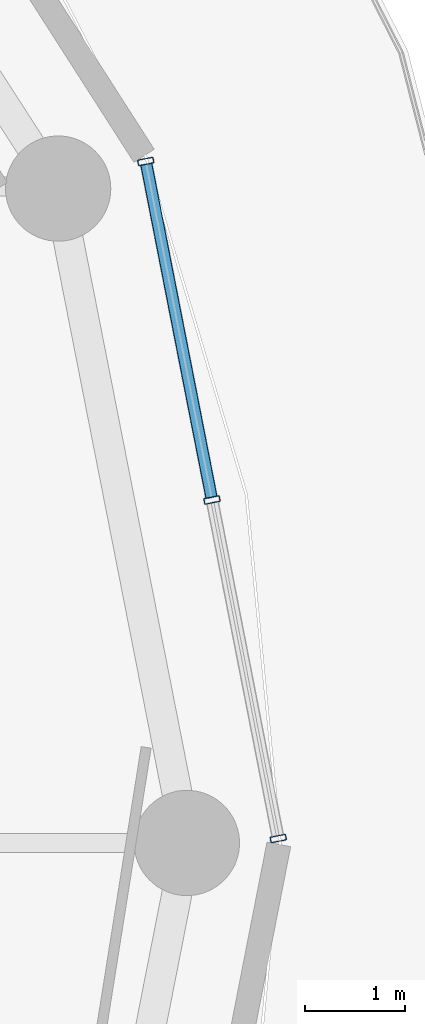
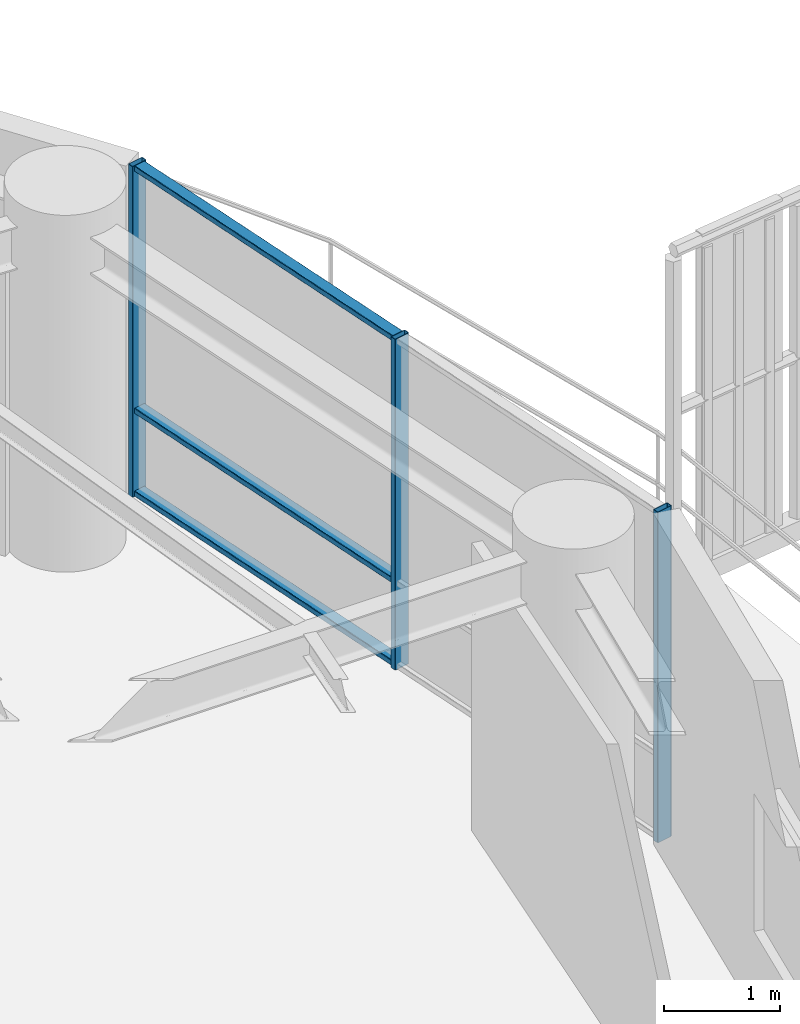
# One storey, part 15 of 30: 6 members, 1 element without a shape of its own.
"""IFC4 building model written with IfcOpenShell, lengths in metres."""

from ifc_helpers import new_model, si_unit, direction, frame, origin, origin_2d, place, context, subcontext, project, spatial, hollow_rectangle, extrude, material, layer, layer_set, material_profile, profile_set, type_object, element, aggregate, save


model = new_model("IFC4")

# Units and contexts
model_context = context("Model", 3, precision=1e-05, world=origin(), true_north=direction((0.0, 1.0)))
body_context = subcontext(model_context, "Body", "Model", "MODEL_VIEW")
ifc_project = project(units=[si_unit("LENGTHUNIT", "METRE"), si_unit("AREAUNIT", "SQUARE_METRE"), si_unit("VOLUMEUNIT", "CUBIC_METRE"), si_unit("PLANEANGLEUNIT", "RADIAN"), si_unit("MASSUNIT", "GRAM", prefix="KILO")], contexts=[model_context])

# Site, building, storey
site_placement = place(None, origin())
site = spatial("IfcSite", under=ifc_project, at=site_placement, CompositionType="ELEMENT")
building_placement = place(site_placement, origin())
building = spatial("IfcBuilding", under=site, at=building_placement, Name="Kelanora Arch Commons", CompositionType="ELEMENT")
storey_placement = place(building_placement, frame((0.0, 0.0, 211.949951171875)))
storey = spatial("IfcBuildingStorey", under=building, at=storey_placement, Name="L54", CompositionType="ELEMENT", Elevation=211.949951171875)

# Curtain wall, members
ifc_material_1 = material(Name="Terracotta ceramic-fritted low-E glass and aluminium", Category="masonry")
ifc_layer = layer(ifc_material_1, 0.175048828125)
ifc_layer_set = layer_set([ifc_layer], Name="Terracotta ceramic-fritted low-E glass and aluminium")
curtain_wall_type = type_object("IfcCurtainWallType", Name="CW-SYS-02", PredefinedType="NOTDEFINED", material=ifc_layer_set)
curtain_wall_placement = place(storey_placement, origin())
curtain_wall = element("IfcCurtainWall", 1, at=curtain_wall_placement, inside=storey, type_object=curtain_wall_type, Name="Unitised Curtain Wall L54-B00", PredefinedType="NOTDEFINED")
ifc_material_2 = material(Name="Powder-coated aluminium terracotta", Category="masonry")
ifc_material_profile_1 = material_profile(ifc_material_2, hollow_rectangle(XDim=0.159912109375, YDim=0.06005859375, WallThickness=0.0048828125, InnerFilletRadius=0.0048828125, OuterFilletRadius=0.010009765625, at=origin_2d()), Name="CWM160x60")
ifc_profile_set_1 = profile_set([ifc_material_profile_1], Name="Powder-coated aluminium terracotta")
member_type_1 = type_object("IfcMemberType", Name="CWM-STD", PredefinedType="MULLION", material=ifc_profile_set_1)
member_1_placement = place(storey_placement, frame((96.19140625, 58.044189453125, 0.0), z_axis=(0.0, 0.0, 1.0), x_axis=(-0.981381438349, -0.192068926335, 0.0)))
member_1 = element("IfcMember", 2, at=member_1_placement, type_object=member_type_1, Name="CW-02 mullion 1", PredefinedType="MULLION", context=body_context, shape_type="SweptSolid", body=[
    extrude(hollow_rectangle(XDim=0.159912109375, YDim=0.06005859375, WallThickness=0.0048828125, InnerFilletRadius=0.0048828125, OuterFilletRadius=0.010009765625, at=origin_2d()), origin(), (0.0, 0.0, 1.0), 3.47509765625),
])
member_2_placement = place(storey_placement, frame((95.530517578125, 61.420166015625, 0.0), z_axis=(0.0, 0.0, 1.0), x_axis=(-0.981381438349, -0.192068926335, 0.0)))
member_2 = element("IfcMember", 3, at=member_2_placement, type_object=member_type_1, Name="CW-02 mullion 2", PredefinedType="MULLION", context=body_context, shape_type="SweptSolid", body=[
    extrude(hollow_rectangle(XDim=0.159912109375, YDim=0.06005859375, WallThickness=0.0048828125, InnerFilletRadius=0.0048828125, OuterFilletRadius=0.010009765625, at=origin_2d()), origin(), (0.0, 0.0, 1.0), 3.47509765625),
])
member_3_placement = place(storey_placement, frame((94.869873046875, 64.796142578125, 0.0), z_axis=(0.0, 0.0, 1.0), x_axis=(-0.981381438349, -0.192068926335, 0.0)))
member_3 = element("IfcMember", 4, at=member_3_placement, type_object=member_type_1, Name="CW-02 mullion 3", PredefinedType="MULLION", context=body_context, shape_type="SweptSolid", body=[
    extrude(hollow_rectangle(XDim=0.159912109375, YDim=0.06005859375, WallThickness=0.0048828125, InnerFilletRadius=0.0048828125, OuterFilletRadius=0.010009765625, at=origin_2d()), origin(), (0.0, 0.0, 1.0), 3.47509765625),
])
ifc_material_profile_2 = material_profile(ifc_material_2, hollow_rectangle(XDim=0.1201171875, YDim=0.06005859375, WallThickness=0.0048828125, InnerFilletRadius=0.0048828125, OuterFilletRadius=0.010009765625, at=origin_2d()), Name="CWT120x60")
ifc_profile_set_2 = profile_set([ifc_material_profile_2], Name="Powder-coated aluminium terracotta")
member_type_2 = type_object("IfcMemberType", Name="CWT-STD", PredefinedType="USERDEFINED", material=ifc_profile_set_2)
member_4_placement = place(storey_placement, frame((95.52490234375, 61.44970703125, 0.030029296875), z_axis=(-0.192058488005, 0.981383481207, 0.0), x_axis=(-0.981383481207, -0.192058488005, 0.0)))
member_4 = element("IfcMember", 5, at=member_4_placement, type_object=member_type_2, Name="CW-02 transom 2.1", ObjectType="TRANSOM", PredefinedType="USERDEFINED", context=body_context, shape_type="SweptSolid", body=[
    extrude(hollow_rectangle(XDim=0.1201171875, YDim=0.06005859375, WallThickness=0.0048828125, InnerFilletRadius=0.0048828125, OuterFilletRadius=0.010009765625, at=origin_2d()), origin(), (0.0, 0.0, 1.0), 3.380126953125),
])
member_5_placement = place(storey_placement, frame((95.52490234375, 61.44970703125, 0.900146484375), z_axis=(-0.192058488005, 0.981383481207, 0.0), x_axis=(-0.981383481207, -0.192058488005, 0.0)))
member_5 = element("IfcMember", 6, at=member_5_placement, type_object=member_type_2, Name="CW-02 transom 2.2", ObjectType="TRANSOM", PredefinedType="USERDEFINED", context=body_context, shape_type="SweptSolid", body=[
    extrude(hollow_rectangle(XDim=0.1201171875, YDim=0.06005859375, WallThickness=0.0048828125, InnerFilletRadius=0.0048828125, OuterFilletRadius=0.010009765625, at=origin_2d()), origin(), (0.0, 0.0, 1.0), 3.380126953125),
])
member_6_placement = place(storey_placement, frame((95.52490234375, 61.44970703125, 3.445068359375), z_axis=(-0.192058488005, 0.981383481207, 0.0), x_axis=(-0.981383481207, -0.192058488005, 0.0)))
member_6 = element("IfcMember", 7, at=member_6_placement, type_object=member_type_2, Name="CW-02 transom 2.3", ObjectType="TRANSOM", PredefinedType="USERDEFINED", context=body_context, shape_type="SweptSolid", body=[
    extrude(hollow_rectangle(XDim=0.1201171875, YDim=0.06005859375, WallThickness=0.0048828125, InnerFilletRadius=0.0048828125, OuterFilletRadius=0.010009765625, at=origin_2d()), origin(), (0.0, 0.0, 1.0), 3.380126953125),
])
aggregate(curtain_wall, [member_1, member_2, member_3, member_4, member_5, member_6])

save(model, "model.ifc")
